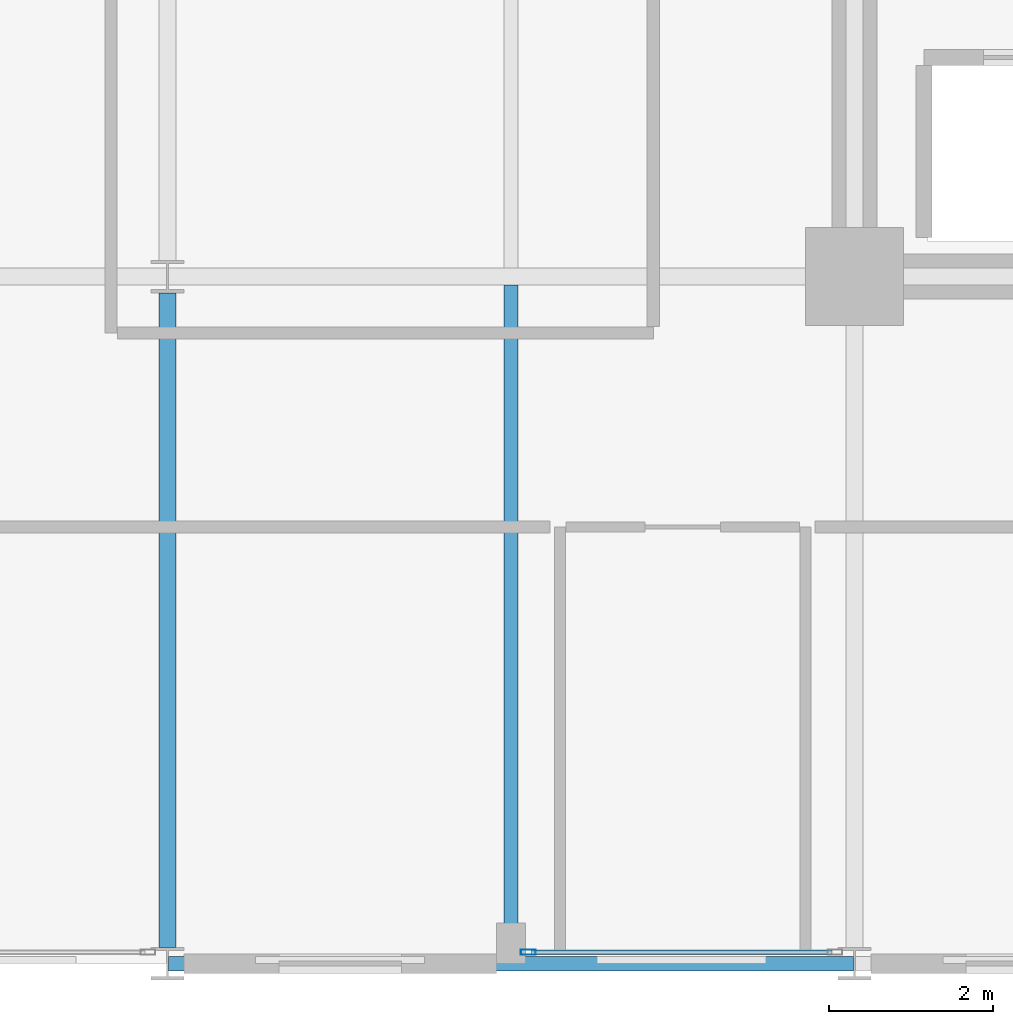
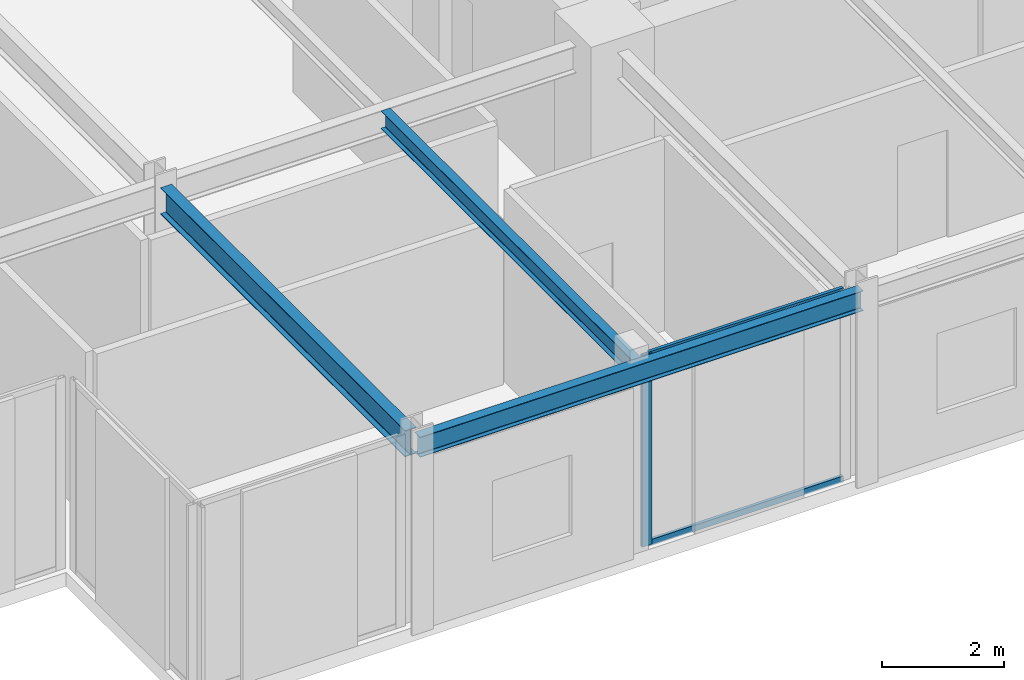
# One storey, part 5 of 38: 3 beams, 3 members, 1 element without a shape of its own.
"""IFC4 building model written with IfcOpenShell, lengths in metres."""

import ifcopenshell
import ifcopenshell.guid

model = None  # the IFC model being written
_history = None  # IfcOwnerHistory: only IFC2X3 demands one
_inside = {}  # id of a spatial element -> (the spatial element, [elements in it])
_under = {}  # id of a project, library or spatial element -> (it, [spatial elements below it])
_declared = {}  # id of a project -> (the project, [libraries it declares])
_typed = {}  # id of a type object -> (the type object, [elements of that type])
_made_of = {}  # id of a material, layer set ... -> (it, [elements and type objects made of it])


def new_model(schema):
    """Start an empty IFC model of exactly this schema.

    Asked for "IFC4X3", IfcOpenShell would pick the latest addendum, in which some entities
    have other attributes; the version numbers below select the first issue.
    IFC2X3 requires an IfcOwnerHistory on every rooted entity: one is made here for all.
    """
    global model, _history
    if schema == "IFC4X3":
        model = ifcopenshell.file(schema_version=(4, 3, 0, 0))
    else:
        model = ifcopenshell.file(schema=schema)
    _inside.clear()
    _under.clear()
    _declared.clear()
    _typed.clear()
    _made_of.clear()
    _history = None
    if model.schema == "IFC2X3":
        org = make("IfcOrganization", Name="unknown")
        user = make(
            "IfcPersonAndOrganization",
            ThePerson=make("IfcPerson", FamilyName="unknown"),
            TheOrganization=org,
        )
        app = make(
            "IfcApplication",
            ApplicationDeveloper=org,
            Version="unknown",
            ApplicationFullName="unknown",
            ApplicationIdentifier="unknown",
        )
        _history = make(
            "IfcOwnerHistory",
            OwningUser=user,
            OwningApplication=app,
            ChangeAction="ADDED",
            CreationDate=0,
        )
    return model


def make(cls, **values):
    """One entity of the class cls with the attributes given. An attribute that is None is left unset."""
    return model.create_entity(
        cls, **{name: value for name, value in values.items() if value is not None}
    )


def rooted(cls, **values):
    """An entity with a GlobalId (a new one), such as an element, a storey or a relation."""
    return make(cls, GlobalId=ifcopenshell.guid.new(), OwnerHistory=_history, **values)


def si_unit(unit_type, name, prefix=None):
    """IfcSIUnit, for example si_unit("LENGTHUNIT", "METRE", prefix="MILLI")."""
    return make("IfcSIUnit", UnitType=unit_type, Prefix=prefix, Name=name)


def assignment(units):
    """IfcUnitAssignment: the units of a project."""
    return None if units is None else make("IfcUnitAssignment", Units=units)


def point(xyz):
    """IfcCartesianPoint."""
    return None if xyz is None else make("IfcCartesianPoint", Coordinates=xyz)


def direction(xyz):
    """IfcDirection."""
    return None if xyz is None else make("IfcDirection", DirectionRatios=xyz)


def frame(location, z_axis=None, x_axis=None):
    """IfcAxis2Placement3D, a coordinate frame: its origin and axes. An axis left out is left unset."""
    return make(
        "IfcAxis2Placement3D",
        Location=point(location),
        Axis=direction(z_axis),
        RefDirection=direction(x_axis),
    )


def frame_2d(location, x_axis=None):
    """IfcAxis2Placement2D, a coordinate frame in the plane: its origin and x axis."""
    return make(
        "IfcAxis2Placement2D", Location=point(location), RefDirection=direction(x_axis)
    )


def origin():
    """The frame at (0, 0, 0) with its axes left unset."""
    return frame((0.0, 0.0, 0.0))


def origin_2d():
    """The frame at (0, 0) in the plane with its x axis left unset."""
    return frame_2d((0.0, 0.0))


def place(relative_to, where):
    """IfcLocalPlacement: puts the frame where relative to a parent placement (None: the world)."""
    return make(
        "IfcLocalPlacement", PlacementRelTo=relative_to, RelativePlacement=where
    )


def context(
    kind, dimensions, precision=None, world=None, true_north=None, identifier=None
):
    """IfcGeometricRepresentationContext, for example the 3D "Model" context."""
    return make(
        "IfcGeometricRepresentationContext",
        ContextIdentifier=identifier,
        ContextType=kind,
        CoordinateSpaceDimension=dimensions,
        Precision=precision,
        WorldCoordinateSystem=world,
        TrueNorth=true_north,
    )


def subcontext(parent, identifier, kind, view, scale=None):
    """IfcGeometricRepresentationSubContext, for example "Body" below "Model"."""
    return make(
        "IfcGeometricRepresentationSubContext",
        ContextIdentifier=identifier,
        ContextType=kind,
        ParentContext=parent,
        TargetScale=scale,
        TargetView=view,
    )


def project(units=None, contexts=None):
    """IfcProject with its units and contexts."""
    return rooted(
        "IfcProject",
        Name="project",
        RepresentationContexts=contexts,
        UnitsInContext=assignment(units),
    )


def spatial(cls, under=None, at=None, **own):
    """A site, building, storey or space (cls), placed at a placement, below another one or the project."""
    s = rooted(cls, ObjectPlacement=at, **own)
    if under is not None:
        _under.setdefault(under.id(), (under, []))[1].append(s)
    return s


def profile(cls, at=None, kind="AREA", **sizes):
    """A parametric profile (cls). Its sizes go by their IFC names, for example OverallWidth=200.0."""
    return make(cls, ProfileType=kind, Position=at, **sizes)


def hollow_rectangle(**sizes):
    """IfcRectangleHollowProfileDef."""
    return profile("IfcRectangleHollowProfileDef", **sizes)


def i_section(**sizes):
    """IfcIShapeProfileDef."""
    return profile("IfcIShapeProfileDef", **sizes)


def extrude(swept, where, along, depth):
    """IfcExtrudedAreaSolid: the profile swept, set in the frame where, extruded along a direction by depth."""
    return make(
        "IfcExtrudedAreaSolid",
        SweptArea=swept,
        Position=where,
        ExtrudedDirection=direction(along),
        Depth=depth,
    )


def shape(context_of_items, identifier, shape_type, items):
    """IfcShapeRepresentation: the items that make up one representation, for example the "Body"."""
    return make(
        "IfcShapeRepresentation",
        ContextOfItems=context_of_items,
        RepresentationIdentifier=identifier,
        RepresentationType=shape_type,
        Items=items,
    )


def material(Name=None, Category=None):
    """IfcMaterial."""
    return make("IfcMaterial", Name=Name, Category=Category)


def layer(
    of_material, thickness, ventilated=None, Name=None, Category=None, Priority=None
):
    """IfcMaterialLayer: one layer of a wall or slab, of a material (None: an air gap)."""
    return make(
        "IfcMaterialLayer",
        Material=of_material,
        LayerThickness=thickness,
        IsVentilated=ventilated,
        Name=Name,
        Category=Category,
        Priority=Priority,
    )


def layer_set(layers, Name=None):
    """IfcMaterialLayerSet."""
    return make("IfcMaterialLayerSet", MaterialLayers=layers, LayerSetName=Name)


def material_profile(
    of_material, cross_section, Name=None, Category=None, Priority=None
):
    """IfcMaterialProfile: a cross section and its material."""
    return make(
        "IfcMaterialProfile",
        Name=Name,
        Material=of_material,
        Profile=cross_section,
        Priority=Priority,
        Category=Category,
    )


def profile_set(profiles, Name=None, composite=None):
    """IfcMaterialProfileSet."""
    return make(
        "IfcMaterialProfileSet",
        Name=Name,
        MaterialProfiles=profiles,
        CompositeProfile=composite,
    )


def made_of(thing, what):
    """Note that an element or type object is made of a material, layer set ...; save() writes the relation."""
    if what is not None:
        _made_of.setdefault(what.id(), (what, []))[1].append(thing)
    return thing


def type_object(cls, material=None, **own):
    """A type object (cls), such as IfcWallType, which elements share."""
    return made_of(rooted(cls, **own), material)


def element(
    cls,
    number,
    at=None,
    inside=None,
    cuts=None,
    type_object=None,
    material=None,
    context=None,
    identifier="Body",
    shape_type=None,
    held_by="IfcProductDefinitionShape",
    body=None,
    shapes=None,
    **own,
):
    """One element of the class cls, such as IfcWall. Its Tag is "e" and its number.

    at: its placement. inside: the storey or other place that contains it. cuts: it is an
    opening in that element (IfcRelVoidsElement). A single representation is given by context,
    identifier, shape_type and body (its items); several are given by shapes. held_by: the class
    of the entity that holds the representations. save() writes the other relations.
    """
    e = rooted(cls, Tag="e%d" % number, ObjectPlacement=at, **own)
    if body is not None:
        shapes = [shape(context, identifier, shape_type, body)]
    if shapes is not None:
        e.Representation = make(held_by, Representations=shapes)
    if inside is not None:
        _inside.setdefault(inside.id(), (inside, []))[1].append(e)
    if cuts is not None:
        rooted(
            "IfcRelVoidsElement", RelatingBuildingElement=cuts, RelatedOpeningElement=e
        )
    if type_object is not None:
        _typed.setdefault(type_object.id(), (type_object, []))[1].append(e)
    return made_of(e, material)


def aggregate(whole, parts):
    """IfcRelAggregates: a whole, such as a stair, and the parts it consists of."""
    return rooted("IfcRelAggregates", RelatingObject=whole, RelatedObjects=parts)


def save(model, path):
    """Write the relations noted so far, then the file.

    IfcRelAggregates (storeys below a building ...), IfcRelContainedInSpatialStructure (elements
    in a storey), IfcRelDefinesByType, IfcRelAssociatesMaterial and IfcRelDeclares: one each for
    every whole, place, type object, material and project.
    """
    for whole, parts in _under.values():
        aggregate(whole, parts)
    for where, things in _inside.values():
        rooted(
            "IfcRelContainedInSpatialStructure",
            RelatedElements=things,
            RelatingStructure=where,
        )
    for kind, things in _typed.values():
        rooted("IfcRelDefinesByType", RelatedObjects=things, RelatingType=kind)
    for what, things in _made_of.values():
        rooted("IfcRelAssociatesMaterial", RelatedObjects=things, RelatingMaterial=what)
    for by, libraries in _declared.values():
        rooted("IfcRelDeclares", RelatingContext=by, RelatedDefinitions=libraries)
    model.write(path)


model = new_model("IFC4")

# Units and contexts
model_context = context("Model", 3, precision=1e-05, world=origin(), true_north=direction((0.0, 1.0)))
body_context = subcontext(model_context, "Body", "Model", "MODEL_VIEW")
ifc_project = project(units=[si_unit("LENGTHUNIT", "METRE"), si_unit("AREAUNIT", "SQUARE_METRE"), si_unit("VOLUMEUNIT", "CUBIC_METRE"), si_unit("PLANEANGLEUNIT", "RADIAN"), si_unit("MASSUNIT", "GRAM", prefix="KILO")], contexts=[model_context])

# Site, building, storey
site_placement = place(None, origin())
site = spatial("IfcSite", under=ifc_project, at=site_placement, CompositionType="ELEMENT")
building_placement = place(site_placement, origin())
building = spatial("IfcBuilding", under=site, at=building_placement, Name="Nerrivon Quay Data Exchange", CompositionType="ELEMENT")
storey_placement = place(building_placement, frame((0.0, 0.0, 84.39990234375)))
storey = spatial("IfcBuildingStorey", under=building, at=storey_placement, Name="L19", CompositionType="ELEMENT", Elevation=84.39990234375)

# Beams
ifc_material_1 = material(Name="Steel Grade 350", Category="steel")
ifc_material_profile_1 = material_profile(ifc_material_1, i_section(OverallWidth=0.208984375, OverallDepth=0.528076171875, WebThickness=0.009521484375, FlangeThickness=0.01318359375, FilletRadius=0.013916015625, at=origin_2d()), Name="530UB82.0")
ifc_profile_set_1 = profile_set([ifc_material_profile_1], Name="Steel Grade 350")
beam_type_1 = type_object("IfcBeamType", Name="BM-G4-530UB82", PredefinedType="BEAM", material=ifc_profile_set_1)
beam_1_placement = place(storey_placement, frame((8.39990234375, 0.199951171875, 3.56103515625), z_axis=(0.0, 1.0, 0.0), x_axis=(-1.0, 0.0, 0.0)))
element("IfcBeam", 1, at=beam_1_placement, inside=storey, type_object=beam_type_1, Name="L19 NS Girder X=8.4 (0.0..8.4)", PredefinedType="BEAM", context=body_context, shape_type="SweptSolid", body=[
    extrude(i_section(OverallWidth=0.208984375, OverallDepth=0.528076171875, WebThickness=0.009521484375, FlangeThickness=0.01318359375, FilletRadius=0.013916015625, at=origin_2d()), origin(), (0.0, 0.0, 1.0), 8.0),
])
ifc_material_profile_2 = material_profile(ifc_material_1, i_section(OverallWidth=0.1708984375, OverallDepth=0.35595703125, WebThickness=0.00732421875, FlangeThickness=0.011474609375, FilletRadius=0.011474609375, at=origin_2d()), Name="360UB50.7")
ifc_profile_set_2 = profile_set([ifc_material_profile_2], Name="Steel Grade 350")
beam_type_2 = type_object("IfcBeamType", Name="BM-J4-360UB51", PredefinedType="JOIST", material=ifc_profile_set_2)
beam_2_placement = place(storey_placement, frame((12.60009765625, 0.089111328125, 3.647216796875), z_axis=(0.0, 1.0, 0.0), x_axis=(-1.0, 0.0, 0.0)))
element("IfcBeam", 2, at=beam_2_placement, inside=storey, type_object=beam_type_2, Name="L19 Secondary Joist X=12.6 (0.0..8.4)", PredefinedType="JOIST", context=body_context, shape_type="SweptSolid", body=[
    extrude(i_section(OverallWidth=0.1708984375, OverallDepth=0.35595703125, WebThickness=0.00732421875, FlangeThickness=0.011474609375, FilletRadius=0.011474609375, at=origin_2d()), origin(), (0.0, 0.0, 1.0), 8.206298828125),
])
ifc_material_profile_3 = material_profile(ifc_material_1, i_section(OverallWidth=0.177978515625, OverallDepth=0.403076171875, WebThickness=0.007568359375, FlangeThickness=0.010986328125, FilletRadius=0.011474609375, at=origin_2d()), Name="410UB53.7")
ifc_profile_set_3 = profile_set([ifc_material_profile_3], Name="Steel Grade 350")
beam_type_3 = type_object("IfcBeamType", Name="BM-SP2-410UB54", PredefinedType="SPANDREL", material=ifc_profile_set_3)
beam_3_placement = place(storey_placement, frame((8.41259765625, 0.0, 3.62353515625), z_axis=(1.0, 0.0, 0.0), x_axis=(0.0, 1.0, 0.0)))
element("IfcBeam", 3, at=beam_3_placement, inside=storey, type_object=beam_type_3, Name="L19 EW Girder Y=0.0 (8.4..16.8)", PredefinedType="SPANDREL", context=body_context, shape_type="SweptSolid", body=[
    extrude(i_section(OverallWidth=0.177978515625, OverallDepth=0.403076171875, WebThickness=0.007568359375, FlangeThickness=0.010986328125, FilletRadius=0.011474609375, at=origin_2d()), origin(), (0.0, 0.0, 1.0), 8.375),
])

# Curtain wall, members
ifc_material_2 = material(Name="Anodised aluminium 6063-T6", Category="aluminium")
ifc_layer = layer(ifc_material_2, 0.2099609375)
ifc_layer_set = layer_set([ifc_layer], Name="Anodised aluminium 6063-T6")
curtain_wall_type = type_object("IfcCurtainWallType", Name="CW-SYS-02", PredefinedType="NOTDEFINED", material=ifc_layer_set)
curtain_wall_placement = place(storey_placement, origin())
curtain_wall = element("IfcCurtainWall", 4, at=curtain_wall_placement, inside=storey, type_object=curtain_wall_type, Name="L19 Unitised Curtain Wall 12", PredefinedType="NOTDEFINED")
ifc_material_profile_4 = material_profile(ifc_material_2, hollow_rectangle(XDim=0.06494140625, YDim=0.179931640625, WallThickness=0.00341796875, at=origin_2d()), Name="ALU-MULL-180x65")
ifc_profile_set_4 = profile_set([ifc_material_profile_4], Name="Anodised aluminium 6063-T6")
member_type_1 = type_object("IfcMemberType", Name="CWM-180x65", PredefinedType="MULLION", material=ifc_profile_set_4)
member_1_placement = place(storey_placement, frame((12.8125, 0.139892578125, 0.0), z_axis=(0.0, 0.0, 1.0), x_axis=(0.0, -1.0, 0.0)))
member_1 = element("IfcMember", 5, at=member_1_placement, type_object=member_type_1, Name="CW02 mullion 2", PredefinedType="MULLION", context=body_context, shape_type="SweptSolid", body=[
    extrude(hollow_rectangle(XDim=0.06494140625, YDim=0.179931640625, WallThickness=0.00341796875, at=origin_2d()), origin(), (0.0, 0.0, 1.0), 3.8251953125),
])
ifc_material_profile_5 = material_profile(ifc_material_2, hollow_rectangle(XDim=0.06005859375, YDim=0.1201171875, WallThickness=0.003173828125, at=origin_2d()), Name="ALU-TRAN-120x60")
ifc_profile_set_5 = profile_set([ifc_material_profile_5], Name="Anodised aluminium 6063-T6")
member_type_2 = type_object("IfcMemberType", Name="CWT-120x60", PredefinedType="USERDEFINED", material=ifc_profile_set_5)
member_2_placement = place(storey_placement, frame((16.52490234375, 0.139892578125, 0.03271484375), z_axis=(-1.0, 0.0, 0.0), x_axis=(0.0, -1.0, 0.0)))
member_2 = element("IfcMember", 6, at=member_2_placement, type_object=member_type_2, Name="CW02 transom 1.1", ObjectType="TRANSOM", PredefinedType="USERDEFINED", context=body_context, shape_type="SweptSolid", body=[
    extrude(hollow_rectangle(XDim=0.06005859375, YDim=0.1201171875, WallThickness=0.003173828125, at=origin_2d()), origin(), (0.0, 0.0, 1.0), 3.6748046875),
])
member_3_placement = place(storey_placement, frame((16.52490234375, 0.139892578125, 3.79248046875), z_axis=(-1.0, 0.0, 0.0), x_axis=(0.0, -1.0, 0.0)))
member_3 = element("IfcMember", 7, at=member_3_placement, type_object=member_type_2, Name="CW02 transom 1.2", ObjectType="TRANSOM", PredefinedType="USERDEFINED", context=body_context, shape_type="SweptSolid", body=[
    extrude(hollow_rectangle(XDim=0.06005859375, YDim=0.1201171875, WallThickness=0.003173828125, at=origin_2d()), origin(), (0.0, 0.0, 1.0), 3.6748046875),
])
aggregate(curtain_wall, [member_1, member_2, member_3])

save(model, "model.ifc")
